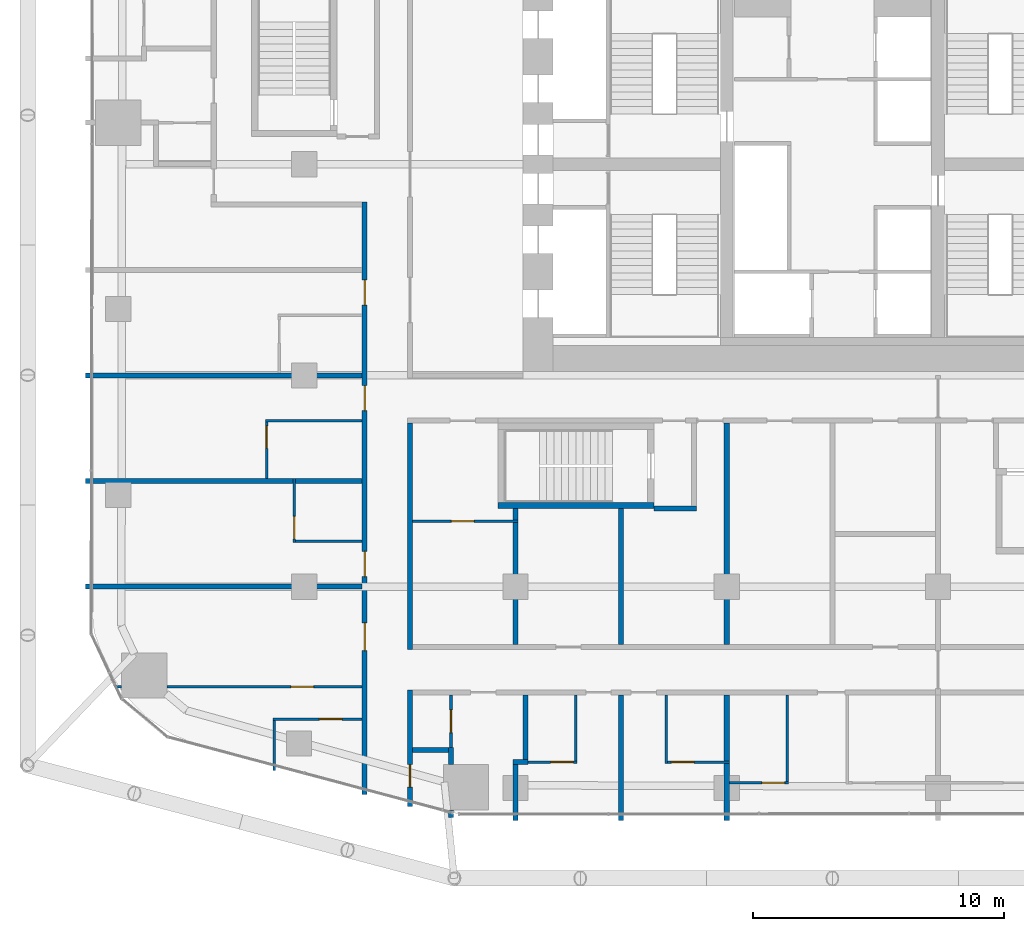
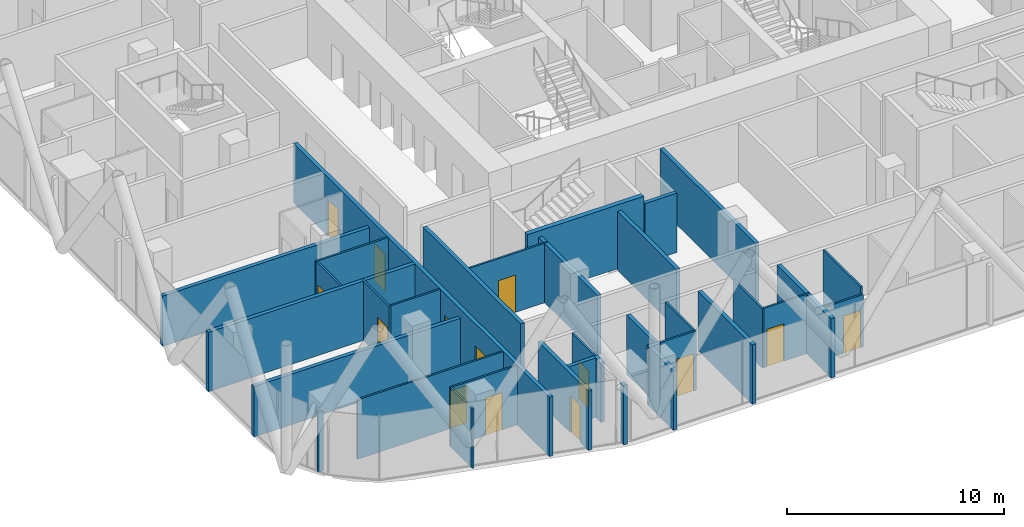
# One storey, part 24 of 35: 35 walls, 14 doors, 14 openings.
"""IFC4 building model written with IfcOpenShell, lengths in metres."""

from ifc_helpers import new_model, si_unit, direction, frame, frame_2d, origin, place, context, subcontext, project, spatial, rectangle, extrude, material, layer, layer_set, type_object, element, fill, save


model = new_model("IFC4")

# Units and contexts
model_context = context("Model", 3, precision=1e-05, world=origin(), true_north=direction((0.0, 1.0)))
body_context = subcontext(model_context, "Body", "Model", "MODEL_VIEW")
ifc_project = project(units=[si_unit("LENGTHUNIT", "METRE"), si_unit("AREAUNIT", "SQUARE_METRE"), si_unit("VOLUMEUNIT", "CUBIC_METRE"), si_unit("PLANEANGLEUNIT", "RADIAN"), si_unit("MASSUNIT", "GRAM", prefix="KILO")], contexts=[model_context])

# Site, building, storey
site_placement = place(None, origin())
site = spatial("IfcSite", under=ifc_project, at=site_placement, CompositionType="ELEMENT")
building_placement = place(site_placement, origin())
building = spatial("IfcBuilding", under=site, at=building_placement, Name="Marenta Gate Hotel Tower", CompositionType="ELEMENT")
storey_placement = place(building_placement, frame((0.0, 0.0, 61.699951171875)))
storey = spatial("IfcBuildingStorey", under=building, at=storey_placement, Name="L13", CompositionType="ELEMENT", Elevation=61.699951171875)

# Wall
ifc_material_1 = material(Name="Concrete C40", Category="concrete")
ifc_layer_1 = layer(ifc_material_1, 0.25)
ifc_layer_set_1 = layer_set([ifc_layer_1], Name="Concrete C40")
wall_type_1 = type_object("IfcWallType", Name="Remote stair enclosure wall 250 REI 180", PredefinedType="SHEAR", material=ifc_layer_set_1)
wall_1_placement = place(storey_placement, frame((-13.300048828125, -5.175048828125, 0.10009765625), z_axis=(0.0, 0.0, 1.0), x_axis=(1.0, 0.0, 0.0)))
element("IfcWall", 1, at=wall_1_placement, inside=storey, type_object=wall_type_1, Name="L13-RS-Z1-2-W1", PredefinedType="SHEAR", context=body_context, shape_type="SweptSolid", body=[
    extrude(rectangle(XDim=6.199951171875, YDim=0.25, at=frame_2d((3.10009765625, 0.0))), origin(), (0.0, 0.0, 1.0), 3.599853515625),
])

# Wall, opening, door
ifc_material_2 = material(Name="Concrete blockwork", Category="masonry")
ifc_layer_2 = layer(ifc_material_2, 0.199951171875)
ifc_layer_set_2 = layer_set([ifc_layer_2], Name="Concrete blockwork")
wall_type_2 = type_object("IfcWallType", Name="Room corridor wall 200 EI 120", PredefinedType="PARTITIONING", material=ifc_layer_set_2)
wall_2_placement = place(storey_placement, frame((-16.800048828125, -17.14306640625, 0.0), z_axis=(0.0, 0.0, 1.0), x_axis=(0.0, 1.0, 0.0)))
wall_2 = element("IfcWall", 2, at=wall_2_placement, inside=storey, type_object=wall_type_2, Name="L13-PTN-W109", PredefinedType="PARTITIONING", context=body_context, shape_type="SweptSolid", body=[
    extrude(rectangle(XDim=4.64306640625, YDim=0.199951171875, at=frame_2d((2.321533203125, 0.0))), origin(), (0.0, 0.0, 1.0), 3.340087890625),
])
opening_1_placement = place(wall_2_placement, frame((0.77197265625, 0.0, 0.0)))
opening_1 = element("IfcOpeningElement", 3, at=opening_1_placement, cuts=wall_2, Name="Opening G04-82", PredefinedType="OPENING", context=body_context, shape_type="SweptSolid", body=[
    extrude(rectangle(XDim=0.89990234375, YDim=2.10009765625, at=frame_2d((0.449951171875, 1.050048828125))), frame((0.0, 0.10009765625, 0.0), z_axis=(0.0, -1.0, 0.0), x_axis=(1.0, 0.0, 0.0)), (0.0, 0.0, 1.0), 0.199951171875),
])
ifc_material_3 = material(Name="Hollow steel door set", Category="steel")
door_type_1 = type_object("IfcDoorType", Name="Room service door 900x2100 EI 60", OperationType="NOTDEFINED", PredefinedType="DOOR", material=ifc_material_3)
door_1_placement = place(opening_1_placement, origin())
door_1 = element("IfcDoor", 4, at=door_1_placement, inside=storey, type_object=door_type_1, Name="L13-PD-D082", OperationType="SINGLE_SWING_LEFT", OverallHeight=2.10009765625, OverallWidth=0.89990234375, PredefinedType="DOOR", context=body_context, shape_type="SweptSolid", body=[
    extrude(rectangle(XDim=0.89990234375, YDim=2.10009765625, at=frame_2d((0.449951171875, 1.050048828125))), frame((0.0, 0.02490234375, 0.0), z_axis=(0.0, -1.0, 0.0), x_axis=(1.0, 0.0, 0.0)), (0.0, 0.0, 1.0), 0.050048828125),
])
fill(opening_1, door_1)

# Wall
ifc_material_4 = material(Name="Gypsum board on steel stud", Category="steel")
ifc_layer_3 = layer(ifc_material_4, 0.199951171875)
ifc_layer_set_3 = layer_set([ifc_layer_3], Name="Gypsum board on steel stud")
wall_type_3 = type_object("IfcWallType", Name="Room corridor wall 200 EI 60", PredefinedType="PARTITIONING", material=ifc_layer_set_3)
wall_3_placement = place(storey_placement, frame((-16.800048828125, -10.89990234375, 0.0), z_axis=(0.0, 0.0, 1.0), x_axis=(0.0, 1.0, 0.0)))
element("IfcWall", 5, at=wall_3_placement, inside=storey, type_object=wall_type_3, Name="L13-PTN-W110", PredefinedType="PARTITIONING", context=body_context, shape_type="SweptSolid", body=[
    extrude(rectangle(XDim=9.0, YDim=0.199951171875, at=frame_2d((4.5, 0.0))), origin(), (0.0, 0.0, 1.0), 3.340087890625),
])

# Wall, openings, doors
wall_4_placement = place(storey_placement, frame((-18.60009765625, -16.6650390625, 0.0), z_axis=(0.0, 0.0, 1.0), x_axis=(0.0, 1.0, 0.0)))
wall_4 = element("IfcWall", 6, at=wall_4_placement, inside=storey, type_object=wall_type_3, Name="L13-PTN-W118", PredefinedType="PARTITIONING", context=body_context, shape_type="SweptSolid", body=[
    extrude(rectangle(XDim=23.56494140625, YDim=0.199951171875, at=frame_2d((11.782470703125, 0.0))), origin(), (0.0, 0.0, 1.0), 3.340087890625),
])
opening_2_placement = place(wall_4_placement, frame((5.72412109375, 0.0, 0.0)))
opening_2 = element("IfcOpeningElement", 7, at=opening_2_placement, cuts=wall_4, Name="Opening G04-50", PredefinedType="OPENING", context=body_context, shape_type="SweptSolid", body=[
    extrude(rectangle(XDim=1.10009765625, YDim=2.10009765625, at=frame_2d((0.550048828125, 1.050048828125))), frame((0.0, 0.10009765625, 0.0), z_axis=(0.0, -1.0, 0.0), x_axis=(1.0, 0.0, 0.0)), (0.0, 0.0, 1.0), 0.199951171875),
])
opening_3_placement = place(wall_4_placement, frame((8.6650390625, 0.0, 0.0)))
opening_3 = element("IfcOpeningElement", 8, at=opening_3_placement, cuts=wall_4, Name="Opening G04-53", PredefinedType="OPENING", context=body_context, shape_type="SweptSolid", body=[
    extrude(rectangle(XDim=1.0, YDim=2.10009765625, at=frame_2d((0.5, 1.050048828125))), frame((0.0, 0.10009765625, 0.0), z_axis=(0.0, -1.0, 0.0), x_axis=(1.0, 0.0, 0.0)), (0.0, 0.0, 1.0), 0.199951171875),
])
opening_4_placement = place(wall_4_placement, frame((15.264892578125, 0.0, 0.0)))
opening_4 = element("IfcOpeningElement", 9, at=opening_4_placement, cuts=wall_4, Name="Opening G04-55", PredefinedType="OPENING", context=body_context, shape_type="SweptSolid", body=[
    extrude(rectangle(XDim=1.0, YDim=2.10009765625, at=frame_2d((0.5, 1.050048828125))), frame((0.0, 0.10009765625, 0.0), z_axis=(0.0, -1.0, 0.0), x_axis=(1.0, 0.0, 0.0)), (0.0, 0.0, 1.0), 0.199951171875),
])
opening_5_placement = place(wall_4_placement, frame((19.465087890625, 0.0, 0.0)))
opening_5 = element("IfcOpeningElement", 10, at=opening_5_placement, cuts=wall_4, Name="Opening G04-57", PredefinedType="OPENING", context=body_context, shape_type="SweptSolid", body=[
    extrude(rectangle(XDim=1.0, YDim=2.10009765625, at=frame_2d((0.5, 1.050048828125))), frame((0.0, 0.10009765625, 0.0), z_axis=(0.0, -1.0, 0.0), x_axis=(1.0, 0.0, 0.0)), (0.0, 0.0, 1.0), 0.199951171875),
])
ifc_material_5 = material(Name="Timber door leaf", Category="wood")
door_type_2 = type_object("IfcDoorType", Name="Guest room door 1000x2100 EI 30", OperationType="NOTDEFINED", PredefinedType="DOOR", material=ifc_material_5)
door_2_placement = place(opening_3_placement, origin())
door_2 = element("IfcDoor", 11, at=door_2_placement, inside=storey, type_object=door_type_2, Name="L13-PD-D053", OperationType="SINGLE_SWING_RIGHT", OverallHeight=2.10009765625, OverallWidth=1.0, PredefinedType="DOOR", context=body_context, shape_type="SweptSolid", body=[
    extrude(rectangle(XDim=1.0, YDim=2.10009765625, at=frame_2d((0.5, 1.050048828125))), frame((0.0, 0.02490234375, 0.0), z_axis=(0.0, -1.0, 0.0), x_axis=(1.0, 0.0, 0.0)), (0.0, 0.0, 1.0), 0.050048828125),
])
fill(opening_3, door_2)
door_3_placement = place(opening_4_placement, origin())
door_3 = element("IfcDoor", 12, at=door_3_placement, inside=storey, type_object=door_type_2, Name="L13-PD-D055", OperationType="SINGLE_SWING_RIGHT", OverallHeight=2.10009765625, OverallWidth=1.0, PredefinedType="DOOR", context=body_context, shape_type="SweptSolid", body=[
    extrude(rectangle(XDim=1.0, YDim=2.10009765625, at=frame_2d((0.5, 1.050048828125))), frame((0.0, 0.02490234375, 0.0), z_axis=(0.0, -1.0, 0.0), x_axis=(1.0, 0.0, 0.0)), (0.0, 0.0, 1.0), 0.050048828125),
])
fill(opening_4, door_3)
door_4_placement = place(opening_5_placement, origin())
door_4 = element("IfcDoor", 13, at=door_4_placement, inside=storey, type_object=door_type_2, Name="L13-PD-D057", OperationType="SINGLE_SWING_RIGHT", OverallHeight=2.10009765625, OverallWidth=1.0, PredefinedType="DOOR", context=body_context, shape_type="SweptSolid", body=[
    extrude(rectangle(XDim=1.0, YDim=2.10009765625, at=frame_2d((0.5, 1.050048828125))), frame((0.0, 0.02490234375, 0.0), z_axis=(0.0, -1.0, 0.0), x_axis=(1.0, 0.0, 0.0)), (0.0, 0.0, 1.0), 0.050048828125),
])
fill(opening_5, door_4)
ifc_material_6 = material(Name="Timber door leaf", Category="wood")
door_type_3 = type_object("IfcDoorType", Name="Guest room door 1100x2100 EI 30", OperationType="NOTDEFINED", PredefinedType="DOOR", material=ifc_material_6)
door_5_placement = place(opening_2_placement, origin())
door_5 = element("IfcDoor", 14, at=door_5_placement, inside=storey, type_object=door_type_3, Name="L13-PD-D050", OperationType="SINGLE_SWING_RIGHT", OverallHeight=2.10009765625, OverallWidth=1.10009765625, PredefinedType="DOOR", context=body_context, shape_type="SweptSolid", body=[
    extrude(rectangle(XDim=1.10009765625, YDim=2.10009765625, at=frame_2d((0.550048828125, 1.050048828125))), frame((0.0, 0.02490234375, 0.0), z_axis=(0.0, -1.0, 0.0), x_axis=(1.0, 0.0, 0.0)), (0.0, 0.0, 1.0), 0.050048828125),
])
fill(opening_2, door_5)

# Wall, opening, door
ifc_material_7 = material(Name="Gypsum board on steel stud", Category="steel")
ifc_layer_4 = layer(ifc_material_7, 0.10009765625)
ifc_layer_set_4 = layer_set([ifc_layer_4], Name="Gypsum board on steel stud")
wall_type_4 = type_object("IfcWallType", Name="Room partition 100", PredefinedType="PARTITIONING", material=ifc_layer_set_4)
wall_5_placement = place(storey_placement, frame((-4.10009765625, -16.199951171875, 0.0), z_axis=(0.0, 0.0, 1.0), x_axis=(1.0, 0.0, 0.0)))
wall_5 = element("IfcWall", 15, at=wall_5_placement, inside=storey, type_object=wall_type_4, Name="L13-PTN-W014", PredefinedType="PARTITIONING", context=body_context, shape_type="SweptSolid", body=[
    extrude(rectangle(XDim=2.35009765625, YDim=0.10009765625, at=frame_2d((1.175048828125, 0.0))), origin(), (0.0, 0.0, 1.0), 2.93994140625),
])
opening_6_placement = place(wall_5_placement, frame((1.300048828125, 0.0, 0.0)))
opening_6 = element("IfcOpeningElement", 16, at=opening_6_placement, cuts=wall_5, Name="Opening G04-46", PredefinedType="OPENING", context=body_context, shape_type="SweptSolid", body=[
    extrude(rectangle(XDim=0.89990234375, YDim=2.10009765625, at=frame_2d((0.449951171875, 1.050048828125))), frame((0.0, 0.050048828125, 0.0), z_axis=(0.0, -1.0, 0.0), x_axis=(1.0, 0.0, 0.0)), (0.0, 0.0, 1.0), 0.10009765625),
])
ifc_material_8 = material(Name="Timber door leaf", Category="wood")
door_type_4 = type_object("IfcDoorType", Name="Room inner door 900x2100", OperationType="NOTDEFINED", PredefinedType="DOOR", material=ifc_material_8)
door_6_placement = place(opening_6_placement, origin())
door_6 = element("IfcDoor", 17, at=door_6_placement, inside=storey, type_object=door_type_4, Name="L13-PD-D046", OperationType="SINGLE_SWING_RIGHT", OverallHeight=2.10009765625, OverallWidth=0.89990234375, PredefinedType="DOOR", context=body_context, shape_type="SweptSolid", body=[
    extrude(rectangle(XDim=0.89990234375, YDim=2.10009765625, at=frame_2d((0.449951171875, 1.050048828125))), frame((0.0, 0.02490234375, 0.0), z_axis=(0.0, -1.0, 0.0), x_axis=(1.0, 0.0, 0.0)), (0.0, 0.0, 1.0), 0.050048828125),
])
fill(opening_6, door_6)

wall_6_placement = place(storey_placement, frame((-12.10009765625, -15.375, 0.0), z_axis=(0.0, 0.0, 1.0), x_axis=(1.0, 0.0, 0.0)))
wall_6 = element("IfcWall", 18, at=wall_6_placement, inside=storey, type_object=wall_type_4, Name="L13-PTN-W019", PredefinedType="PARTITIONING", context=body_context, shape_type="SweptSolid", body=[
    extrude(rectangle(XDim=1.9501953125, YDim=0.10009765625, at=frame_2d((0.97509765625, 0.0))), origin(), (0.0, 0.0, 1.0), 3.340087890625),
])
opening_7_placement = place(wall_6_placement, frame((0.89990234375, 0.0, 0.0)))
opening_7 = element("IfcOpeningElement", 19, at=opening_7_placement, cuts=wall_6, Name="Opening G04-41", PredefinedType="OPENING", context=body_context, shape_type="SweptSolid", body=[
    extrude(rectangle(XDim=0.89990234375, YDim=2.10009765625, at=frame_2d((0.449951171875, 1.050048828125))), frame((0.0, 0.050048828125, 0.0), z_axis=(0.0, -1.0, 0.0), x_axis=(1.0, 0.0, 0.0)), (0.0, 0.0, 1.0), 0.10009765625),
])
ifc_material_9 = material(Name="Timber door leaf", Category="wood")
door_type_5 = type_object("IfcDoorType", Name="Guest bathroom door 900x2100", OperationType="NOTDEFINED", PredefinedType="DOOR", material=ifc_material_9)
door_7_placement = place(opening_7_placement, origin())
door_7 = element("IfcDoor", 20, at=door_7_placement, inside=storey, type_object=door_type_5, Name="L13-PD-D041", OperationType="SINGLE_SWING_RIGHT", OverallHeight=2.10009765625, OverallWidth=0.89990234375, PredefinedType="DOOR", context=body_context, shape_type="SweptSolid", body=[
    extrude(rectangle(XDim=0.89990234375, YDim=2.10009765625, at=frame_2d((0.449951171875, 1.050048828125))), frame((0.0, 0.02490234375, 0.0), z_axis=(0.0, -1.0, 0.0), x_axis=(1.0, 0.0, 0.0)), (0.0, 0.0, 1.0), 0.050048828125),
])
fill(opening_7, door_7)

wall_7_placement = place(storey_placement, frame((-6.550048828125, -15.375, 0.0), z_axis=(0.0, 0.0, 1.0), x_axis=(1.0, 0.0, 0.0)))
wall_7 = element("IfcWall", 21, at=wall_7_placement, inside=storey, type_object=wall_type_4, Name="L13-PTN-W020", PredefinedType="PARTITIONING", context=body_context, shape_type="SweptSolid", body=[
    extrude(rectangle(XDim=2.449951171875, YDim=0.10009765625, at=frame_2d((1.22509765625, 0.0))), origin(), (0.0, 0.0, 1.0), 3.340087890625),
])
opening_8_placement = place(wall_7_placement, frame((0.14990234375, 0.0, 0.0)))
opening_8 = element("IfcOpeningElement", 22, at=opening_8_placement, cuts=wall_7, Name="Opening G04-43", PredefinedType="OPENING", context=body_context, shape_type="SweptSolid", body=[
    extrude(rectangle(XDim=0.89990234375, YDim=2.10009765625, at=frame_2d((0.449951171875, 1.050048828125))), frame((0.0, 0.050048828125, 0.0), z_axis=(0.0, -1.0, 0.0), x_axis=(1.0, 0.0, 0.0)), (0.0, 0.0, 1.0), 0.10009765625),
])
door_8_placement = place(opening_8_placement, origin())
door_8 = element("IfcDoor", 23, at=door_8_placement, inside=storey, type_object=door_type_5, Name="L13-PD-D043", OperationType="SINGLE_SWING_LEFT", OverallHeight=2.10009765625, OverallWidth=0.89990234375, PredefinedType="DOOR", context=body_context, shape_type="SweptSolid", body=[
    extrude(rectangle(XDim=0.89990234375, YDim=2.10009765625, at=frame_2d((0.449951171875, 1.050048828125))), frame((0.0, 0.02490234375, 0.0), z_axis=(0.0, -1.0, 0.0), x_axis=(1.0, 0.0, 0.0)), (0.0, 0.0, 1.0), 0.050048828125),
])
fill(opening_8, door_8)

wall_8_placement = place(storey_placement, frame((-22.25, -13.6650390625, 0.0), z_axis=(0.0, 0.0, 1.0), x_axis=(1.0, 0.0, 0.0)))
wall_8 = element("IfcWall", 24, at=wall_8_placement, inside=storey, type_object=wall_type_4, Name="L13-PTN-W027", PredefinedType="PARTITIONING", context=body_context, shape_type="SweptSolid", body=[
    extrude(rectangle(XDim=3.550048828125, YDim=0.10009765625, at=frame_2d((1.77490234375, 0.0))), origin(), (0.0, 0.0, 1.0), 3.340087890625),
])
opening_9_placement = place(wall_8_placement, frame((1.85009765625, 0.0, 0.0)))
opening_9 = element("IfcOpeningElement", 25, at=opening_9_placement, cuts=wall_8, Name="Opening G04-52", PredefinedType="OPENING", context=body_context, shape_type="SweptSolid", body=[
    extrude(rectangle(XDim=0.89990234375, YDim=2.10009765625, at=frame_2d((0.449951171875, 1.050048828125))), frame((0.0, 0.050048828125, 0.0), z_axis=(0.0, -1.0, 0.0), x_axis=(1.0, 0.0, 0.0)), (0.0, 0.0, 1.0), 0.10009765625),
])
door_9_placement = place(opening_9_placement, origin())
door_9 = element("IfcDoor", 26, at=door_9_placement, inside=storey, type_object=door_type_5, Name="L13-PD-D052", OperationType="SINGLE_SWING_RIGHT", OverallHeight=2.10009765625, OverallWidth=0.89990234375, PredefinedType="DOOR", context=body_context, shape_type="SweptSolid", body=[
    extrude(rectangle(XDim=0.89990234375, YDim=2.10009765625, at=frame_2d((0.449951171875, 1.050048828125))), frame((0.0, 0.02490234375, 0.0), z_axis=(0.0, -1.0, 0.0), x_axis=(1.0, 0.0, 0.0)), (0.0, 0.0, 1.0), 0.050048828125),
])
fill(opening_9, door_9)

# Wall
wall_9_placement = place(storey_placement, frame((-28.552978515625, -12.383056640625, 0.0), z_axis=(0.0, 0.0, 1.0), x_axis=(1.0, 0.0, 0.0)))
element("IfcWall", 27, at=wall_9_placement, inside=storey, type_object=wall_type_4, Name="L13-PTN-W031", PredefinedType="PARTITIONING", context=body_context, shape_type="SweptSolid", body=[
    extrude(rectangle(XDim=0.2900390625, YDim=0.10009765625, at=frame_2d((0.14501953125, 0.0))), origin(), (0.0, 0.0, 1.0), 3.340087890625),
])

# Wall, opening, door
wall_10_placement = place(storey_placement, frame((-26.462890625, -12.383056640625, 0.0), z_axis=(0.0, 0.0, 1.0), x_axis=(1.0, 0.0, 0.0)))
wall_10 = element("IfcWall", 28, at=wall_10_placement, inside=storey, type_object=wall_type_4, Name="L13-PTN-W157", PredefinedType="PARTITIONING", context=body_context, shape_type="SweptSolid", body=[
    extrude(rectangle(XDim=7.762939453125, YDim=0.10009765625, at=frame_2d((3.88134765625, 0.0))), origin(), (0.0, 0.0, 1.0), 3.340087890625),
])
opening_10_placement = place(wall_10_placement, frame((4.93310546875, 0.0, 0.0)))
opening_10 = element("IfcOpeningElement", 29, at=opening_10_placement, cuts=wall_10, Name="Opening G04-51", PredefinedType="OPENING", context=body_context, shape_type="SweptSolid", body=[
    extrude(rectangle(XDim=0.89990234375, YDim=2.10009765625, at=frame_2d((0.449951171875, 1.050048828125))), frame((0.0, 0.050048828125, 0.0), z_axis=(0.0, -1.0, 0.0), x_axis=(1.0, 0.0, 0.0)), (0.0, 0.0, 1.0), 0.10009765625),
])
door_10_placement = place(opening_10_placement, origin())
door_10 = element("IfcDoor", 30, at=door_10_placement, inside=storey, type_object=door_type_4, Name="L13-PD-D051", OperationType="SINGLE_SWING_LEFT", OverallHeight=2.10009765625, OverallWidth=0.89990234375, PredefinedType="DOOR", context=body_context, shape_type="SweptSolid", body=[
    extrude(rectangle(XDim=0.89990234375, YDim=2.10009765625, at=frame_2d((0.449951171875, 1.050048828125))), frame((0.0, 0.02490234375, 0.0), z_axis=(0.0, -1.0, 0.0), x_axis=(1.0, 0.0, 0.0)), (0.0, 0.0, 1.0), 0.050048828125),
])
fill(opening_10, door_10)

# Wall
wall_11_placement = place(storey_placement, frame((-21.35009765625, -6.60009765625, 0.0), z_axis=(0.0, 0.0, 1.0), x_axis=(1.0, 0.0, 0.0)))
element("IfcWall", 31, at=wall_11_placement, inside=storey, type_object=wall_type_4, Name="L13-PTN-W045", PredefinedType="PARTITIONING", context=body_context, shape_type="SweptSolid", body=[
    extrude(rectangle(XDim=2.650146484375, YDim=0.10009765625, at=frame_2d((1.3251953125, 0.0))), origin(), (0.0, 0.0, 1.0), 3.340087890625),
])

# Wall, opening, door
wall_12_placement = place(storey_placement, frame((-16.699951171875, -5.800048828125, 0.0), z_axis=(0.0, 0.0, 1.0), x_axis=(1.0, 0.0, 0.0)))
wall_12 = element("IfcWall", 32, at=wall_12_placement, inside=storey, type_object=wall_type_4, Name="L13-PTN-W050", PredefinedType="PARTITIONING", context=body_context, shape_type="SweptSolid", body=[
    extrude(rectangle(XDim=4.199951171875, YDim=0.10009765625, at=frame_2d((2.10009765625, 0.0))), origin(), (0.0, 0.0, 1.0), 3.340087890625),
])
opening_11_placement = place(wall_12_placement, frame((1.550048828125, 0.0, 0.0)))
opening_11 = element("IfcOpeningElement", 33, at=opening_11_placement, cuts=wall_12, Name="Opening G04-06", PredefinedType="OPENING", context=body_context, shape_type="SweptSolid", body=[
    extrude(rectangle(XDim=0.89990234375, YDim=2.10009765625, at=frame_2d((0.449951171875, 1.050048828125))), frame((0.0, 0.050048828125, 0.0), z_axis=(0.0, -1.0, 0.0), x_axis=(1.0, 0.0, 0.0)), (0.0, 0.0, 1.0), 0.10009765625),
])
door_11_placement = place(opening_11_placement, origin())
door_11 = element("IfcDoor", 34, at=door_11_placement, inside=storey, type_object=door_type_4, Name="L13-PD-D006", OperationType="SINGLE_SWING_RIGHT", OverallHeight=2.10009765625, OverallWidth=0.89990234375, PredefinedType="DOOR", context=body_context, shape_type="SweptSolid", body=[
    extrude(rectangle(XDim=0.89990234375, YDim=2.10009765625, at=frame_2d((0.449951171875, 1.050048828125))), frame((0.0, 0.02490234375, 0.0), z_axis=(0.0, -1.0, 0.0), x_axis=(1.0, 0.0, 0.0)), (0.0, 0.0, 1.0), 0.050048828125),
])
fill(opening_11, door_11)

# Walls
wall_13_placement = place(storey_placement, frame((-22.550048828125, -1.800048828125, 0.0), z_axis=(0.0, 0.0, 1.0), x_axis=(1.0, 0.0, 0.0)))
element("IfcWall", 35, at=wall_13_placement, inside=storey, type_object=wall_type_4, Name="L13-PTN-W061", PredefinedType="PARTITIONING", context=body_context, shape_type="SweptSolid", body=[
    extrude(rectangle(XDim=3.85009765625, YDim=0.10009765625, at=frame_2d((1.925048828125, 0.0))), origin(), (0.0, 0.0, 1.0), 3.340087890625),
])
wall_14_placement = place(storey_placement, frame((-1.800048828125, -16.14990234375, 0.0), z_axis=(0.0, 0.0, 1.0), x_axis=(0.0, 1.0, 0.0)))
element("IfcWall", 36, at=wall_14_placement, inside=storey, type_object=wall_type_4, Name="L13-PTN-W072", PredefinedType="PARTITIONING", context=body_context, shape_type="SweptSolid", body=[
    extrude(rectangle(XDim=3.449951171875, YDim=0.10009765625, at=frame_2d((1.72509765625, 0.0))), origin(), (0.0, 0.0, 1.0), 3.340087890625),
])
wall_15_placement = place(storey_placement, frame((-6.60009765625, -15.425048828125, 0.0), z_axis=(0.0, 0.0, 1.0), x_axis=(0.0, 1.0, 0.0)))
element("IfcWall", 37, at=wall_15_placement, inside=storey, type_object=wall_type_4, Name="L13-PTN-W084", PredefinedType="PARTITIONING", context=body_context, shape_type="SweptSolid", body=[
    extrude(rectangle(XDim=2.72509765625, YDim=0.10009765625, at=frame_2d((1.362548828125, 0.0))), origin(), (0.0, 0.0, 1.0), 3.340087890625),
])
wall_16_placement = place(storey_placement, frame((-10.199951171875, -15.324951171875, 0.0), z_axis=(0.0, 0.0, 1.0), x_axis=(0.0, 1.0, 0.0)))
element("IfcWall", 38, at=wall_16_placement, inside=storey, type_object=wall_type_4, Name="L13-PTN-W095", PredefinedType="PARTITIONING", context=body_context, shape_type="SweptSolid", body=[
    extrude(rectangle(XDim=2.625, YDim=0.10009765625, at=frame_2d((1.3125, 0.0))), origin(), (0.0, 0.0, 1.0), 3.340087890625),
])

# Wall, opening, door
wall_17_placement = place(storey_placement, frame((-15.166015625, -15.0, 0.0), z_axis=(0.0, 0.0, 1.0), x_axis=(0.0, 1.0, 0.0)))
wall_17 = element("IfcWall", 39, at=wall_17_placement, inside=storey, type_object=wall_type_4, Name="L13-PTN-W107", PredefinedType="PARTITIONING", context=body_context, shape_type="SweptSolid", body=[
    extrude(rectangle(XDim=2.300048828125, YDim=0.10009765625, at=frame_2d((1.14990234375, 0.0))), origin(), (0.0, 0.0, 1.0), 3.340087890625),
])
opening_12_placement = place(wall_17_placement, frame((0.800048828125, 0.0, 0.0)))
opening_12 = element("IfcOpeningElement", 40, at=opening_12_placement, cuts=wall_17, Name="Opening G04-81", PredefinedType="OPENING", context=body_context, shape_type="SweptSolid", body=[
    extrude(rectangle(XDim=0.89990234375, YDim=2.10009765625, at=frame_2d((0.449951171875, 1.050048828125))), frame((0.0, 0.050048828125, 0.0), z_axis=(0.0, -1.0, 0.0), x_axis=(1.0, 0.0, 0.0)), (0.0, 0.0, 1.0), 0.10009765625),
])
door_12_placement = place(opening_12_placement, origin())
door_12 = element("IfcDoor", 41, at=door_12_placement, inside=storey, type_object=door_type_5, Name="L13-PD-D081", OperationType="SINGLE_SWING_RIGHT", OverallHeight=2.10009765625, OverallWidth=0.89990234375, PredefinedType="DOOR", context=body_context, shape_type="SweptSolid", body=[
    extrude(rectangle(XDim=0.89990234375, YDim=2.10009765625, at=frame_2d((0.449951171875, 1.050048828125))), frame((0.0, 0.02490234375, 0.0), z_axis=(0.0, -1.0, 0.0), x_axis=(1.0, 0.0, 0.0)), (0.0, 0.0, 1.0), 0.050048828125),
])
fill(opening_12, door_12)

wall_18_placement = place(storey_placement, frame((-21.39990234375, -6.64990234375, 0.0), z_axis=(0.0, 0.0, 1.0), x_axis=(0.0, 1.0, 0.0)))
wall_18 = element("IfcWall", 42, at=wall_18_placement, inside=storey, type_object=wall_type_4, Name="L13-PTN-W124", PredefinedType="PARTITIONING", context=body_context, shape_type="SweptSolid", body=[
    extrude(rectangle(XDim=2.5498046875, YDim=0.10009765625, at=frame_2d((1.27490234375, 0.0))), origin(), (0.0, 0.0, 1.0), 3.340087890625),
])
opening_13_placement = place(wall_18_placement, frame((0.14990234375, 0.0, 0.0)))
opening_13 = element("IfcOpeningElement", 43, at=opening_13_placement, cuts=wall_18, Name="Opening G04-54", PredefinedType="OPENING", context=body_context, shape_type="SweptSolid", body=[
    extrude(rectangle(XDim=0.89990234375, YDim=2.10009765625, at=frame_2d((0.449951171875, 1.050048828125))), frame((0.0, 0.050048828125, 0.0), z_axis=(0.0, -1.0, 0.0), x_axis=(1.0, 0.0, 0.0)), (0.0, 0.0, 1.0), 0.10009765625),
])
door_13_placement = place(opening_13_placement, origin())
door_13 = element("IfcDoor", 44, at=door_13_placement, inside=storey, type_object=door_type_5, Name="L13-PD-D054", OperationType="SINGLE_SWING_RIGHT", OverallHeight=2.10009765625, OverallWidth=0.89990234375, PredefinedType="DOOR", context=body_context, shape_type="SweptSolid", body=[
    extrude(rectangle(XDim=0.89990234375, YDim=2.10009765625, at=frame_2d((0.449951171875, 1.050048828125))), frame((0.0, 0.02490234375, 0.0), z_axis=(0.0, -1.0, 0.0), x_axis=(1.0, 0.0, 0.0)), (0.0, 0.0, 1.0), 0.050048828125),
])
fill(opening_13, door_13)

# Wall
wall_19_placement = place(storey_placement, frame((-22.199951171875, -15.7099609375, 0.0), z_axis=(0.0, 0.0, 1.0), x_axis=(0.0, 1.0, 0.0)))
element("IfcWall", 45, at=wall_19_placement, inside=storey, type_object=wall_type_4, Name="L13-PTN-W130", PredefinedType="PARTITIONING", context=body_context, shape_type="SweptSolid", body=[
    extrude(rectangle(XDim=1.994873046875, YDim=0.10009765625, at=frame_2d((0.99755859375, 0.0))), origin(), (0.0, 0.0, 1.0), 3.340087890625),
])

# Wall, opening, door
wall_20_placement = place(storey_placement, frame((-22.5, -4.10009765625, 0.0), z_axis=(0.0, 0.0, 1.0), x_axis=(0.0, 1.0, 0.0)))
wall_20 = element("IfcWall", 46, at=wall_20_placement, inside=storey, type_object=wall_type_4, Name="L13-PTN-W131", PredefinedType="PARTITIONING", context=body_context, shape_type="SweptSolid", body=[
    extrude(rectangle(XDim=2.25, YDim=0.10009765625, at=frame_2d((1.125, 0.0))), origin(), (0.0, 0.0, 1.0), 3.340087890625),
])
opening_14_placement = place(wall_20_placement, frame((1.199951171875, 0.0, 0.0)))
opening_14 = element("IfcOpeningElement", 47, at=opening_14_placement, cuts=wall_20, Name="Opening G04-56", PredefinedType="OPENING", context=body_context, shape_type="SweptSolid", body=[
    extrude(rectangle(XDim=0.89990234375, YDim=2.10009765625, at=frame_2d((0.449951171875, 1.050048828125))), frame((0.0, 0.050048828125, 0.0), z_axis=(0.0, -1.0, 0.0), x_axis=(1.0, 0.0, 0.0)), (0.0, 0.0, 1.0), 0.10009765625),
])
door_14_placement = place(opening_14_placement, origin())
door_14 = element("IfcDoor", 48, at=door_14_placement, inside=storey, type_object=door_type_5, Name="L13-PD-D056", OperationType="SINGLE_SWING_LEFT", OverallHeight=2.10009765625, OverallWidth=0.89990234375, PredefinedType="DOOR", context=body_context, shape_type="SweptSolid", body=[
    extrude(rectangle(XDim=0.89990234375, YDim=2.10009765625, at=frame_2d((0.449951171875, 1.050048828125))), frame((0.0, 0.02490234375, 0.0), z_axis=(0.0, -1.0, 0.0), x_axis=(1.0, 0.0, 0.0)), (0.0, 0.0, 1.0), 0.050048828125),
])
fill(opening_14, door_14)

# Walls
ifc_material_10 = material(Name="Concrete blockwork", Category="masonry")
ifc_layer_5 = layer(ifc_material_10, 0.199951171875)
ifc_layer_set_5 = layer_set([ifc_layer_5], Name="Concrete blockwork")
wall_type_5 = type_object("IfcWallType", Name="Room party wall 200 EI 120", PredefinedType="PARTITIONING", material=ifc_layer_set_5)
wall_21_placement = place(storey_placement, frame((-16.699951171875, -14.89990234375, 0.0), z_axis=(0.0, 0.0, 1.0), x_axis=(1.0, 0.0, 0.0)))
element("IfcWall", 49, at=wall_21_placement, inside=storey, type_object=wall_type_5, Name="L13-PTN-W023", PredefinedType="PARTITIONING", context=body_context, shape_type="SweptSolid", body=[
    extrude(rectangle(XDim=1.48388671875, YDim=0.199951171875, at=frame_2d((0.741943359375, 0.0))), origin(), (0.0, 0.0, 1.0), 3.340087890625),
])
wall_22_placement = place(storey_placement, frame((-15.166015625, -17.572998046875, 0.0), z_axis=(0.0, 0.0, 1.0), x_axis=(0.0, 1.0, 0.0)))
element("IfcWall", 50, at=wall_22_placement, inside=storey, type_object=wall_type_5, Name="L13-PTN-W106", PredefinedType="PARTITIONING", context=body_context, shape_type="SweptSolid", body=[
    extrude(rectangle(XDim=0.298095703125, YDim=0.199951171875, at=frame_2d((0.14892578125, 0.0))), origin(), (0.0, 0.0, 1.0), 3.340087890625),
])
wall_23_placement = place(storey_placement, frame((-15.166015625, -15.47509765625, 0.0), z_axis=(0.0, 0.0, 1.0), x_axis=(0.0, 1.0, 0.0)))
element("IfcWall", 51, at=wall_23_placement, inside=storey, type_object=wall_type_5, Name="L13-PTN-W160", PredefinedType="PARTITIONING", context=body_context, shape_type="SweptSolid", body=[
    extrude(rectangle(XDim=0.675048828125, YDim=0.199951171875, at=frame_2d((0.33740234375, 0.0))), origin(), (0.0, 0.0, 1.0), 3.340087890625),
])
ifc_material_11 = material(Name="Gypsum board on steel stud", Category="steel")
ifc_layer_6 = layer(ifc_material_11, 0.199951171875)
ifc_layer_set_6 = layer_set([ifc_layer_6], Name="Gypsum board on steel stud")
wall_type_6 = type_object("IfcWallType", Name="Room party wall 200 EI 60", PredefinedType="PARTITIONING", material=ifc_layer_set_6)
wall_24_placement = place(storey_placement, frame((-12.699951171875, -15.375, 0.0), z_axis=(0.0, 0.0, 1.0), x_axis=(1.0, 0.0, 0.0)))
element("IfcWall", 52, at=wall_24_placement, inside=storey, type_object=wall_type_6, Name="L13-PTN-W018", PredefinedType="PARTITIONING", context=body_context, shape_type="SweptSolid", body=[
    extrude(rectangle(XDim=0.599853515625, YDim=0.199951171875, at=frame_2d((0.2998046875, 0.0))), origin(), (0.0, 0.0, 1.0), 3.340087890625),
])
wall_25_placement = place(storey_placement, frame((-29.699951171875, -8.39990234375, 0.0), z_axis=(0.0, 0.0, 1.0), x_axis=(1.0, 0.0, 0.0)))
element("IfcWall", 53, at=wall_25_placement, inside=storey, type_object=wall_type_6, Name="L13-PTN-W039", PredefinedType="PARTITIONING", context=body_context, shape_type="SweptSolid", body=[
    extrude(rectangle(XDim=11.0, YDim=0.199951171875, at=frame_2d((5.5, 0.0))), origin(), (0.0, 0.0, 1.0), 2.840087890625),
])
wall_26_placement = place(storey_placement, frame((-29.699951171875, -4.199951171875, 0.0), z_axis=(0.0, 0.0, 1.0), x_axis=(1.0, 0.0, 0.0)))
element("IfcWall", 54, at=wall_26_placement, inside=storey, type_object=wall_type_6, Name="L13-PTN-W056", PredefinedType="PARTITIONING", context=body_context, shape_type="SweptSolid", body=[
    extrude(rectangle(XDim=11.0, YDim=0.199951171875, at=frame_2d((5.5, 0.0))), origin(), (0.0, 0.0, 1.0), 3.340087890625),
])
wall_27_placement = place(storey_placement, frame((-29.699951171875, 0.0, 0.0), z_axis=(0.0, 0.0, 1.0), x_axis=(1.0, 0.0, 0.0)))
element("IfcWall", 55, at=wall_27_placement, inside=storey, type_object=wall_type_6, Name="L13-PTN-W069", PredefinedType="PARTITIONING", context=body_context, shape_type="SweptSolid", body=[
    extrude(rectangle(XDim=11.0, YDim=0.199951171875, at=frame_2d((5.5, 0.0))), origin(), (0.0, 0.0, 1.0), 2.840087890625),
])
wall_28_placement = place(storey_placement, frame((-4.199951171875, -17.699951171875, 0.0), z_axis=(0.0, 0.0, 1.0), x_axis=(0.0, 1.0, 0.0)))
element("IfcWall", 56, at=wall_28_placement, inside=storey, type_object=wall_type_6, Name="L13-PTN-W075", PredefinedType="PARTITIONING", context=body_context, shape_type="SweptSolid", body=[
    extrude(rectangle(XDim=5.0, YDim=0.199951171875, at=frame_2d((2.5, 0.0))), origin(), (0.0, 0.0, 1.0), 3.340087890625),
])
wall_29_placement = place(storey_placement, frame((-4.199951171875, -10.699951171875, 0.0), z_axis=(0.0, 0.0, 1.0), x_axis=(0.0, 1.0, 0.0)))
element("IfcWall", 57, at=wall_29_placement, inside=storey, type_object=wall_type_6, Name="L13-PTN-W076", PredefinedType="PARTITIONING", context=body_context, shape_type="SweptSolid", body=[
    extrude(rectangle(XDim=8.800048828125, YDim=0.199951171875, at=frame_2d((4.39990234375, 0.0))), origin(), (0.0, 0.0, 1.0), 3.340087890625),
])
wall_30_placement = place(storey_placement, frame((-8.39990234375, -17.699951171875, 0.0), z_axis=(0.0, 0.0, 1.0), x_axis=(0.0, 1.0, 0.0)))
element("IfcWall", 58, at=wall_30_placement, inside=storey, type_object=wall_type_6, Name="L13-PTN-W086", PredefinedType="PARTITIONING", context=body_context, shape_type="SweptSolid", body=[
    extrude(rectangle(XDim=5.0, YDim=0.199951171875, at=frame_2d((2.5, 0.0))), origin(), (0.0, 0.0, 1.0), 3.340087890625),
])
wall_31_placement = place(storey_placement, frame((-8.39990234375, -10.699951171875, 0.0), z_axis=(0.0, 0.0, 1.0), x_axis=(0.0, 1.0, 0.0)))
element("IfcWall", 59, at=wall_31_placement, inside=storey, type_object=wall_type_6, Name="L13-PTN-W087", PredefinedType="PARTITIONING", context=body_context, shape_type="SweptSolid", body=[
    extrude(rectangle(XDim=5.39990234375, YDim=0.199951171875, at=frame_2d((2.699951171875, 0.0))), origin(), (0.0, 0.0, 1.0), 3.340087890625),
])
wall_32_placement = place(storey_placement, frame((-12.199951171875, -15.27490234375, 0.0), z_axis=(0.0, 0.0, 1.0), x_axis=(0.0, 1.0, 0.0)))
element("IfcWall", 60, at=wall_32_placement, inside=storey, type_object=wall_type_6, Name="L13-PTN-W097", PredefinedType="PARTITIONING", context=body_context, shape_type="SweptSolid", body=[
    extrude(rectangle(XDim=2.574951171875, YDim=0.199951171875, at=frame_2d((1.28759765625, 0.0))), origin(), (0.0, 0.0, 1.0), 3.340087890625),
])
wall_33_placement = place(storey_placement, frame((-12.60009765625, -17.699951171875, 0.0), z_axis=(0.0, 0.0, 1.0), x_axis=(0.0, 1.0, 0.0)))
element("IfcWall", 61, at=wall_33_placement, inside=storey, type_object=wall_type_6, Name="L13-PTN-W098", PredefinedType="PARTITIONING", context=body_context, shape_type="SweptSolid", body=[
    extrude(rectangle(XDim=2.224853515625, YDim=0.199951171875, at=frame_2d((1.1123046875, 0.0))), origin(), (0.0, 0.0, 1.0), 3.340087890625),
])
wall_34_placement = place(storey_placement, frame((-12.60009765625, -10.699951171875, 0.0), z_axis=(0.0, 0.0, 1.0), x_axis=(0.0, 1.0, 0.0)))
element("IfcWall", 62, at=wall_34_placement, inside=storey, type_object=wall_type_6, Name="L13-PTN-W099", PredefinedType="PARTITIONING", context=body_context, shape_type="SweptSolid", body=[
    extrude(rectangle(XDim=5.39990234375, YDim=0.199951171875, at=frame_2d((2.699951171875, 0.0))), origin(), (0.0, 0.0, 1.0), 3.340087890625),
])
ifc_material_12 = material(Name="Concrete blockwork", Category="masonry")
ifc_layer_7 = layer(ifc_material_12, 0.199951171875)
ifc_layer_set_7 = layer_set([ifc_layer_7], Name="Concrete blockwork")
wall_type_7 = type_object("IfcWallType", Name="Room party wall 200 REI 180", PredefinedType="PARTITIONING", material=ifc_layer_set_7)
wall_35_placement = place(storey_placement, frame((-7.10009765625, -5.300048828125, 0.0), z_axis=(0.0, 0.0, 1.0), x_axis=(1.0, 0.0, 0.0)))
element("IfcWall", 63, at=wall_35_placement, inside=storey, type_object=wall_type_7, Name="L13-PTN-W051", PredefinedType="PARTITIONING", context=body_context, shape_type="SweptSolid", body=[
    extrude(rectangle(XDim=1.7001953125, YDim=0.199951171875, at=frame_2d((0.85009765625, 0.0))), origin(), (0.0, 0.0, 1.0), 3.340087890625),
])

save(model, "model.ifc")
